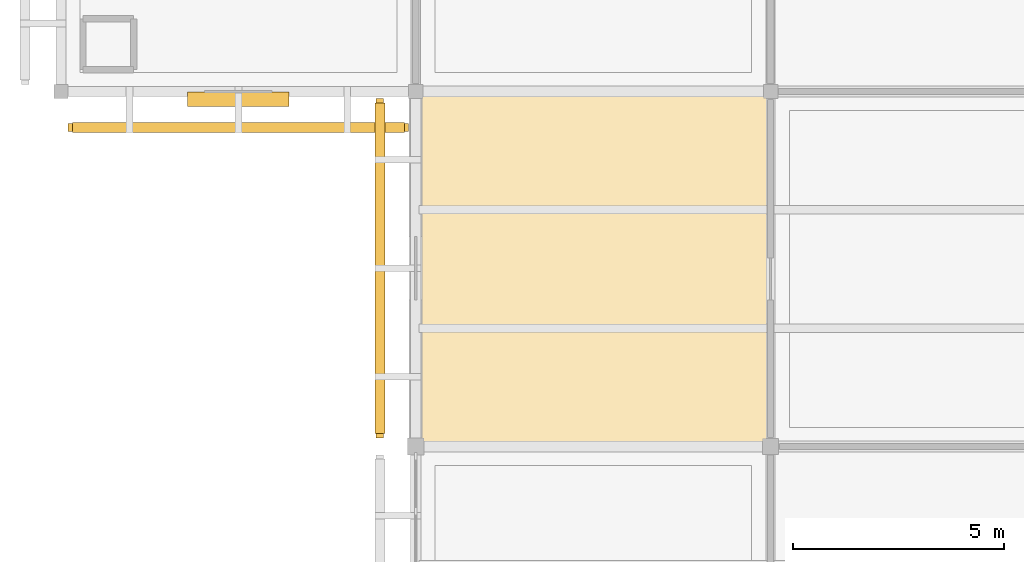
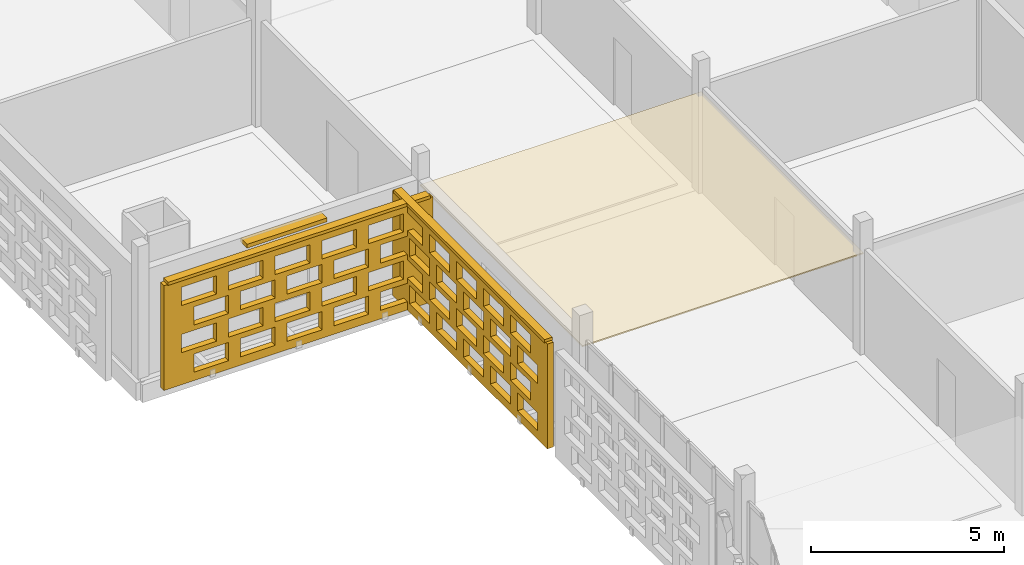
# One storey, part 101 of 140: 3 coverings, 3 shading devices, 40 openings.
"""IFC4 building model written with IfcOpenShell, lengths in metres."""

from ifc_helpers import new_model, si_unit, direction, frame, frame_2d, origin, origin_2d, place, context, subcontext, project, spatial, rectangle, extrude, material, layer, layer_set, type_object, element, save


model = new_model("IFC4")

# Units and contexts
model_context = context("Model", 3, precision=1e-05, world=origin(), true_north=direction((0.0, 1.0)))
body_context = subcontext(model_context, "Body", "Model", "MODEL_VIEW")
ifc_project = project(units=[si_unit("LENGTHUNIT", "METRE"), si_unit("AREAUNIT", "SQUARE_METRE"), si_unit("VOLUMEUNIT", "CUBIC_METRE"), si_unit("PLANEANGLEUNIT", "RADIAN"), si_unit("MASSUNIT", "GRAM", prefix="KILO")], contexts=[model_context])

# Site, building, storey
site_placement = place(None, origin())
site = spatial("IfcSite", under=ifc_project, at=site_placement, CompositionType="ELEMENT")
building_placement = place(site_placement, origin())
building = spatial("IfcBuilding", under=site, at=building_placement, Name="Varnapada Polytechnic", CompositionType="ELEMENT")
storey_placement = place(building_placement, frame((0.0, 0.0, 13.800048828125)))
storey = spatial("IfcBuildingStorey", under=building, at=storey_placement, Name="L03", CompositionType="ELEMENT", Elevation=13.800048828125)

# Shading device
ifc_material_1 = material(Name="Anodised aluminium", Category="aluminium")
ifc_layer_1 = layer(ifc_material_1, 0.35009765625)
ifc_layer_set_1 = layer_set([ifc_layer_1], Name="Anodised aluminium")
shading_device_type_1 = type_object("IfcShadingDeviceType", Name="Solar Louvre LVR-01", PredefinedType="JALOUSIE", material=ifc_layer_set_1)
shading_device_1_placement = place(storey_placement, frame((4.199951171875, 41.820068359375, 3.159912109375), z_axis=(0.0, 0.0, 1.0), x_axis=(-1.0, 0.0, 0.0)))
element("IfcShadingDevice", 1, at=shading_device_1_placement, inside=storey, type_object=shading_device_type_1, Name="L03 aluminium sun louvre 1", PredefinedType="JALOUSIE", context=body_context, shape_type="SweptSolid", body=[
    extrude(rectangle(XDim=2.39990234375, YDim=0.340087890625, at=origin_2d()), origin(), (0.0, 0.0, 1.0), 0.1201171875),
])

# Covering
ifc_material_2 = material(Name="Mineral Fibre Acoustic Ceiling Tile")
ifc_layer_2 = layer(ifc_material_2, 0.0400390625)
ifc_layer_set_2 = layer_set([ifc_layer_2], Name="Mineral Fibre Acoustic Ceiling Tile")
covering_type_1 = type_object("IfcCoveringType", Name="Suspended Ceiling CLG-01", PredefinedType="CEILING", material=ifc_layer_set_2)
covering_1_placement = place(storey_placement, frame((12.60009765625, 37.800048828125, 3.030029296875), z_axis=(0.0, 0.0, 1.0), x_axis=(1.0, 0.0, 0.0)))
element("IfcCovering", 2, at=covering_1_placement, inside=storey, type_object=covering_type_1, Name="L03 suspended acoustic ceiling (2,5)", PredefinedType="CEILING", context=body_context, shape_type="SweptSolid", body=[
    extrude(rectangle(XDim=8.419921875, YDim=8.419921875, at=origin_2d()), origin(), (0.0, 0.0, 1.0), 0.0400390625),
])

# Covering, openings
ifc_material_3 = material(Name="Earth-toned architectural terracotta screen block", Category="masonry")
ifc_layer_3 = layer(ifc_material_3, 0.1201171875)
ifc_layer_set_3 = layer_set([ifc_layer_3], Name="Earth-toned architectural terracotta screen block")
covering_type_2 = type_object("IfcCoveringType", Name="Terracotta Screen Cladding CLD-01", PredefinedType="CLADDING", material=ifc_layer_set_3)
covering_2_placement = place(storey_placement, frame((8.22998046875, 41.14990234375, 0.0), z_axis=(0.0, 0.0, 1.0), x_axis=(-1.0, 0.0, 0.0)))
covering_2 = element("IfcCovering", 3, at=covering_2_placement, inside=storey, type_object=covering_type_2, Name="L03 perforated terracotta block screen (1)", PredefinedType="CLADDING", context=body_context, shape_type="SweptSolid", body=[
    extrude(rectangle(XDim=8.06005859375, YDim=0.179931640625, at=frame_2d((4.030029296875, 0.0))), origin(), (0.0, 0.0, 1.0), 3.320068359375),
])
opening_1_placement = place(covering_2_placement, frame((0.530029296875, 0.0, 0.265625)))
element("IfcOpeningElement", 4, at=opening_1_placement, cuts=covering_2, Name="Screen perforation TBS-L03-000.1", PredefinedType="OPENING", context=body_context, shape_type="SweptSolid", body=[
    extrude(rectangle(XDim=1.0400390625, YDim=0.5810546875, at=frame_2d((0.52001953125, 0.29052734375))), frame((0.0, 0.099853515625, 0.0), z_axis=(0.0, -1.0, 0.0), x_axis=(1.0, 0.0, 0.0)), (0.0, 0.0, 1.0), 0.199951171875),
])
opening_2_placement = place(covering_2_placement, frame((1.929931640625, 0.0, 0.265625)))
element("IfcOpeningElement", 5, at=opening_2_placement, cuts=covering_2, Name="Screen perforation TBS-L03-000.2", PredefinedType="OPENING", context=body_context, shape_type="SweptSolid", body=[
    extrude(rectangle(XDim=1.0400390625, YDim=0.5810546875, at=frame_2d((0.52001953125, 0.29052734375))), frame((0.0, 0.099853515625, 0.0), z_axis=(0.0, -1.0, 0.0), x_axis=(1.0, 0.0, 0.0)), (0.0, 0.0, 1.0), 0.199951171875),
])
opening_3_placement = place(covering_2_placement, frame((3.330078125, 0.0, 0.265625)))
element("IfcOpeningElement", 6, at=opening_3_placement, cuts=covering_2, Name="Screen perforation TBS-L03-000.3", PredefinedType="OPENING", context=body_context, shape_type="SweptSolid", body=[
    extrude(rectangle(XDim=1.0400390625, YDim=0.5810546875, at=frame_2d((0.52001953125, 0.29052734375))), frame((0.0, 0.099853515625, 0.0), z_axis=(0.0, -1.0, 0.0), x_axis=(1.0, 0.0, 0.0)), (0.0, 0.0, 1.0), 0.199951171875),
])
opening_4_placement = place(covering_2_placement, frame((4.72998046875, 0.0, 0.265625)))
element("IfcOpeningElement", 7, at=opening_4_placement, cuts=covering_2, Name="Screen perforation TBS-L03-000.4", PredefinedType="OPENING", context=body_context, shape_type="SweptSolid", body=[
    extrude(rectangle(XDim=1.0400390625, YDim=0.5810546875, at=frame_2d((0.52001953125, 0.29052734375))), frame((0.0, 0.099853515625, 0.0), z_axis=(0.0, -1.0, 0.0), x_axis=(1.0, 0.0, 0.0)), (0.0, 0.0, 1.0), 0.199951171875),
])
opening_5_placement = place(covering_2_placement, frame((6.1298828125, 0.0, 0.265625)))
element("IfcOpeningElement", 8, at=opening_5_placement, cuts=covering_2, Name="Screen perforation TBS-L03-000.5", PredefinedType="OPENING", context=body_context, shape_type="SweptSolid", body=[
    extrude(rectangle(XDim=1.0400390625, YDim=0.5810546875, at=frame_2d((0.52001953125, 0.29052734375))), frame((0.0, 0.099853515625, 0.0), z_axis=(0.0, -1.0, 0.0), x_axis=(1.0, 0.0, 0.0)), (0.0, 0.0, 1.0), 0.199951171875),
])
opening_6_placement = place(covering_2_placement, frame((0.889892578125, 0.0, 1.0126953125)))
element("IfcOpeningElement", 9, at=opening_6_placement, cuts=covering_2, Name="Screen perforation TBS-L03-000.6", PredefinedType="OPENING", context=body_context, shape_type="SweptSolid", body=[
    extrude(rectangle(XDim=1.0400390625, YDim=0.5810546875, at=frame_2d((0.52001953125, 0.29052734375))), frame((0.0, 0.099853515625, 0.0), z_axis=(0.0, -1.0, 0.0), x_axis=(1.0, 0.0, 0.0)), (0.0, 0.0, 1.0), 0.199951171875),
])
opening_7_placement = place(covering_2_placement, frame((2.2900390625, 0.0, 1.0126953125)))
element("IfcOpeningElement", 10, at=opening_7_placement, cuts=covering_2, Name="Screen perforation TBS-L03-000.7", PredefinedType="OPENING", context=body_context, shape_type="SweptSolid", body=[
    extrude(rectangle(XDim=1.0400390625, YDim=0.5810546875, at=frame_2d((0.52001953125, 0.29052734375))), frame((0.0, 0.099853515625, 0.0), z_axis=(0.0, -1.0, 0.0), x_axis=(1.0, 0.0, 0.0)), (0.0, 0.0, 1.0), 0.199951171875),
])
opening_8_placement = place(covering_2_placement, frame((3.68994140625, 0.0, 1.0126953125)))
element("IfcOpeningElement", 11, at=opening_8_placement, cuts=covering_2, Name="Screen perforation TBS-L03-000.8", PredefinedType="OPENING", context=body_context, shape_type="SweptSolid", body=[
    extrude(rectangle(XDim=1.0400390625, YDim=0.5810546875, at=frame_2d((0.52001953125, 0.29052734375))), frame((0.0, 0.099853515625, 0.0), z_axis=(0.0, -1.0, 0.0), x_axis=(1.0, 0.0, 0.0)), (0.0, 0.0, 1.0), 0.199951171875),
])
opening_9_placement = place(covering_2_placement, frame((5.090087890625, 0.0, 1.0126953125)))
element("IfcOpeningElement", 12, at=opening_9_placement, cuts=covering_2, Name="Screen perforation TBS-L03-000.9", PredefinedType="OPENING", context=body_context, shape_type="SweptSolid", body=[
    extrude(rectangle(XDim=1.0400390625, YDim=0.5810546875, at=frame_2d((0.52001953125, 0.29052734375))), frame((0.0, 0.099853515625, 0.0), z_axis=(0.0, -1.0, 0.0), x_axis=(1.0, 0.0, 0.0)), (0.0, 0.0, 1.0), 0.199951171875),
])
opening_10_placement = place(covering_2_placement, frame((6.489990234375, 0.0, 1.0126953125)))
element("IfcOpeningElement", 13, at=opening_10_placement, cuts=covering_2, Name="Screen perforation TBS-L03-000.10", PredefinedType="OPENING", context=body_context, shape_type="SweptSolid", body=[
    extrude(rectangle(XDim=1.0400390625, YDim=0.5810546875, at=frame_2d((0.52001953125, 0.29052734375))), frame((0.0, 0.099853515625, 0.0), z_axis=(0.0, -1.0, 0.0), x_axis=(1.0, 0.0, 0.0)), (0.0, 0.0, 1.0), 0.199951171875),
])
opening_11_placement = place(covering_2_placement, frame((0.530029296875, 0.0, 1.759521484375)))
element("IfcOpeningElement", 14, at=opening_11_placement, cuts=covering_2, Name="Screen perforation TBS-L03-000.11", PredefinedType="OPENING", context=body_context, shape_type="SweptSolid", body=[
    extrude(rectangle(XDim=1.0400390625, YDim=0.5810546875, at=frame_2d((0.52001953125, 0.29052734375))), frame((0.0, 0.099853515625, 0.0), z_axis=(0.0, -1.0, 0.0), x_axis=(1.0, 0.0, 0.0)), (0.0, 0.0, 1.0), 0.199951171875),
])
opening_12_placement = place(covering_2_placement, frame((1.929931640625, 0.0, 1.759521484375)))
element("IfcOpeningElement", 15, at=opening_12_placement, cuts=covering_2, Name="Screen perforation TBS-L03-000.12", PredefinedType="OPENING", context=body_context, shape_type="SweptSolid", body=[
    extrude(rectangle(XDim=1.0400390625, YDim=0.5810546875, at=frame_2d((0.52001953125, 0.29052734375))), frame((0.0, 0.099853515625, 0.0), z_axis=(0.0, -1.0, 0.0), x_axis=(1.0, 0.0, 0.0)), (0.0, 0.0, 1.0), 0.199951171875),
])
opening_13_placement = place(covering_2_placement, frame((3.330078125, 0.0, 1.759521484375)))
element("IfcOpeningElement", 16, at=opening_13_placement, cuts=covering_2, Name="Screen perforation TBS-L03-000.13", PredefinedType="OPENING", context=body_context, shape_type="SweptSolid", body=[
    extrude(rectangle(XDim=1.0400390625, YDim=0.5810546875, at=frame_2d((0.52001953125, 0.29052734375))), frame((0.0, 0.099853515625, 0.0), z_axis=(0.0, -1.0, 0.0), x_axis=(1.0, 0.0, 0.0)), (0.0, 0.0, 1.0), 0.199951171875),
])
opening_14_placement = place(covering_2_placement, frame((4.72998046875, 0.0, 1.759521484375)))
element("IfcOpeningElement", 17, at=opening_14_placement, cuts=covering_2, Name="Screen perforation TBS-L03-000.14", PredefinedType="OPENING", context=body_context, shape_type="SweptSolid", body=[
    extrude(rectangle(XDim=1.0400390625, YDim=0.5810546875, at=frame_2d((0.52001953125, 0.29052734375))), frame((0.0, 0.099853515625, 0.0), z_axis=(0.0, -1.0, 0.0), x_axis=(1.0, 0.0, 0.0)), (0.0, 0.0, 1.0), 0.199951171875),
])
opening_15_placement = place(covering_2_placement, frame((6.1298828125, 0.0, 1.759521484375)))
element("IfcOpeningElement", 18, at=opening_15_placement, cuts=covering_2, Name="Screen perforation TBS-L03-000.15", PredefinedType="OPENING", context=body_context, shape_type="SweptSolid", body=[
    extrude(rectangle(XDim=1.0400390625, YDim=0.5810546875, at=frame_2d((0.52001953125, 0.29052734375))), frame((0.0, 0.099853515625, 0.0), z_axis=(0.0, -1.0, 0.0), x_axis=(1.0, 0.0, 0.0)), (0.0, 0.0, 1.0), 0.199951171875),
])
opening_16_placement = place(covering_2_placement, frame((0.889892578125, 0.0, 2.506591796875)))
element("IfcOpeningElement", 19, at=opening_16_placement, cuts=covering_2, Name="Screen perforation TBS-L03-000.16", PredefinedType="OPENING", context=body_context, shape_type="SweptSolid", body=[
    extrude(rectangle(XDim=1.0400390625, YDim=0.5810546875, at=frame_2d((0.52001953125, 0.29052734375))), frame((0.0, 0.099853515625, 0.0), z_axis=(0.0, -1.0, 0.0), x_axis=(1.0, 0.0, 0.0)), (0.0, 0.0, 1.0), 0.199951171875),
])
opening_17_placement = place(covering_2_placement, frame((2.2900390625, 0.0, 2.506591796875)))
element("IfcOpeningElement", 20, at=opening_17_placement, cuts=covering_2, Name="Screen perforation TBS-L03-000.17", PredefinedType="OPENING", context=body_context, shape_type="SweptSolid", body=[
    extrude(rectangle(XDim=1.0400390625, YDim=0.5810546875, at=frame_2d((0.52001953125, 0.29052734375))), frame((0.0, 0.099853515625, 0.0), z_axis=(0.0, -1.0, 0.0), x_axis=(1.0, 0.0, 0.0)), (0.0, 0.0, 1.0), 0.199951171875),
])
opening_18_placement = place(covering_2_placement, frame((3.68994140625, 0.0, 2.506591796875)))
element("IfcOpeningElement", 21, at=opening_18_placement, cuts=covering_2, Name="Screen perforation TBS-L03-000.18", PredefinedType="OPENING", context=body_context, shape_type="SweptSolid", body=[
    extrude(rectangle(XDim=1.0400390625, YDim=0.5810546875, at=frame_2d((0.52001953125, 0.29052734375))), frame((0.0, 0.099853515625, 0.0), z_axis=(0.0, -1.0, 0.0), x_axis=(1.0, 0.0, 0.0)), (0.0, 0.0, 1.0), 0.199951171875),
])
opening_19_placement = place(covering_2_placement, frame((5.090087890625, 0.0, 2.506591796875)))
element("IfcOpeningElement", 22, at=opening_19_placement, cuts=covering_2, Name="Screen perforation TBS-L03-000.19", PredefinedType="OPENING", context=body_context, shape_type="SweptSolid", body=[
    extrude(rectangle(XDim=1.0400390625, YDim=0.5810546875, at=frame_2d((0.52001953125, 0.29052734375))), frame((0.0, 0.099853515625, 0.0), z_axis=(0.0, -1.0, 0.0), x_axis=(1.0, 0.0, 0.0)), (0.0, 0.0, 1.0), 0.199951171875),
])
opening_20_placement = place(covering_2_placement, frame((6.489990234375, 0.0, 2.506591796875)))
element("IfcOpeningElement", 23, at=opening_20_placement, cuts=covering_2, Name="Screen perforation TBS-L03-000.20", PredefinedType="OPENING", context=body_context, shape_type="SweptSolid", body=[
    extrude(rectangle(XDim=1.0400390625, YDim=0.5810546875, at=frame_2d((0.52001953125, 0.29052734375))), frame((0.0, 0.099853515625, 0.0), z_axis=(0.0, -1.0, 0.0), x_axis=(1.0, 0.0, 0.0)), (0.0, 0.0, 1.0), 0.199951171875),
])

covering_3_placement = place(storey_placement, frame((7.550048828125, 33.800048828125, 0.0), z_axis=(0.0, 0.0, 1.0), x_axis=(0.0, 1.0, 0.0)))
covering_3 = element("IfcCovering", 24, at=covering_3_placement, inside=storey, type_object=covering_type_2, Name="L03 perforated terracotta block screen (17)", PredefinedType="CLADDING", context=body_context, shape_type="SweptSolid", body=[
    extrude(rectangle(XDim=8.030029296875, YDim=0.179931640625, at=frame_2d((4.01513671875, 0.0))), origin(), (0.0, 0.0, 1.0), 3.320068359375),
])
opening_21_placement = place(covering_3_placement, frame((0.514892578125, 0.0, 0.265625)))
element("IfcOpeningElement", 25, at=opening_21_placement, cuts=covering_3, Name="Screen perforation TBS-L03-016.1", PredefinedType="OPENING", context=body_context, shape_type="SweptSolid", body=[
    extrude(rectangle(XDim=1.0400390625, YDim=0.5810546875, at=frame_2d((0.52001953125, 0.29052734375))), frame((0.0, 0.099853515625, 0.0), z_axis=(0.0, -1.0, 0.0), x_axis=(1.0, 0.0, 0.0)), (0.0, 0.0, 1.0), 0.199951171875),
])
opening_22_placement = place(covering_3_placement, frame((1.9150390625, 0.0, 0.265625)))
element("IfcOpeningElement", 26, at=opening_22_placement, cuts=covering_3, Name="Screen perforation TBS-L03-016.2", PredefinedType="OPENING", context=body_context, shape_type="SweptSolid", body=[
    extrude(rectangle(XDim=1.0400390625, YDim=0.5810546875, at=frame_2d((0.52001953125, 0.29052734375))), frame((0.0, 0.099853515625, 0.0), z_axis=(0.0, -1.0, 0.0), x_axis=(1.0, 0.0, 0.0)), (0.0, 0.0, 1.0), 0.199951171875),
])
opening_23_placement = place(covering_3_placement, frame((3.31494140625, 0.0, 0.265625)))
element("IfcOpeningElement", 27, at=opening_23_placement, cuts=covering_3, Name="Screen perforation TBS-L03-016.3", PredefinedType="OPENING", context=body_context, shape_type="SweptSolid", body=[
    extrude(rectangle(XDim=1.0400390625, YDim=0.5810546875, at=frame_2d((0.52001953125, 0.29052734375))), frame((0.0, 0.099853515625, 0.0), z_axis=(0.0, -1.0, 0.0), x_axis=(1.0, 0.0, 0.0)), (0.0, 0.0, 1.0), 0.199951171875),
])
opening_24_placement = place(covering_3_placement, frame((4.715087890625, 0.0, 0.265625)))
element("IfcOpeningElement", 28, at=opening_24_placement, cuts=covering_3, Name="Screen perforation TBS-L03-016.4", PredefinedType="OPENING", context=body_context, shape_type="SweptSolid", body=[
    extrude(rectangle(XDim=1.0400390625, YDim=0.5810546875, at=frame_2d((0.52001953125, 0.29052734375))), frame((0.0, 0.099853515625, 0.0), z_axis=(0.0, -1.0, 0.0), x_axis=(1.0, 0.0, 0.0)), (0.0, 0.0, 1.0), 0.199951171875),
])
opening_25_placement = place(covering_3_placement, frame((6.114990234375, 0.0, 0.265625)))
element("IfcOpeningElement", 29, at=opening_25_placement, cuts=covering_3, Name="Screen perforation TBS-L03-016.5", PredefinedType="OPENING", context=body_context, shape_type="SweptSolid", body=[
    extrude(rectangle(XDim=1.0400390625, YDim=0.5810546875, at=frame_2d((0.52001953125, 0.29052734375))), frame((0.0, 0.099853515625, 0.0), z_axis=(0.0, -1.0, 0.0), x_axis=(1.0, 0.0, 0.0)), (0.0, 0.0, 1.0), 0.199951171875),
])
opening_26_placement = place(covering_3_placement, frame((0.875, 0.0, 1.0126953125)))
element("IfcOpeningElement", 30, at=opening_26_placement, cuts=covering_3, Name="Screen perforation TBS-L03-016.6", PredefinedType="OPENING", context=body_context, shape_type="SweptSolid", body=[
    extrude(rectangle(XDim=1.0400390625, YDim=0.5810546875, at=frame_2d((0.52001953125, 0.29052734375))), frame((0.0, 0.099853515625, 0.0), z_axis=(0.0, -1.0, 0.0), x_axis=(1.0, 0.0, 0.0)), (0.0, 0.0, 1.0), 0.199951171875),
])
opening_27_placement = place(covering_3_placement, frame((2.27490234375, 0.0, 1.0126953125)))
element("IfcOpeningElement", 31, at=opening_27_placement, cuts=covering_3, Name="Screen perforation TBS-L03-016.7", PredefinedType="OPENING", context=body_context, shape_type="SweptSolid", body=[
    extrude(rectangle(XDim=1.0400390625, YDim=0.5810546875, at=frame_2d((0.52001953125, 0.29052734375))), frame((0.0, 0.099853515625, 0.0), z_axis=(0.0, -1.0, 0.0), x_axis=(1.0, 0.0, 0.0)), (0.0, 0.0, 1.0), 0.199951171875),
])
opening_28_placement = place(covering_3_placement, frame((3.675048828125, 0.0, 1.0126953125)))
element("IfcOpeningElement", 32, at=opening_28_placement, cuts=covering_3, Name="Screen perforation TBS-L03-016.8", PredefinedType="OPENING", context=body_context, shape_type="SweptSolid", body=[
    extrude(rectangle(XDim=1.0400390625, YDim=0.5810546875, at=frame_2d((0.52001953125, 0.29052734375))), frame((0.0, 0.099853515625, 0.0), z_axis=(0.0, -1.0, 0.0), x_axis=(1.0, 0.0, 0.0)), (0.0, 0.0, 1.0), 0.199951171875),
])
opening_29_placement = place(covering_3_placement, frame((5.074951171875, 0.0, 1.0126953125)))
element("IfcOpeningElement", 33, at=opening_29_placement, cuts=covering_3, Name="Screen perforation TBS-L03-016.9", PredefinedType="OPENING", context=body_context, shape_type="SweptSolid", body=[
    extrude(rectangle(XDim=1.0400390625, YDim=0.5810546875, at=frame_2d((0.52001953125, 0.29052734375))), frame((0.0, 0.099853515625, 0.0), z_axis=(0.0, -1.0, 0.0), x_axis=(1.0, 0.0, 0.0)), (0.0, 0.0, 1.0), 0.199951171875),
])
opening_30_placement = place(covering_3_placement, frame((6.47509765625, 0.0, 1.0126953125)))
element("IfcOpeningElement", 34, at=opening_30_placement, cuts=covering_3, Name="Screen perforation TBS-L03-016.10", PredefinedType="OPENING", context=body_context, shape_type="SweptSolid", body=[
    extrude(rectangle(XDim=1.0400390625, YDim=0.5810546875, at=frame_2d((0.52001953125, 0.29052734375))), frame((0.0, 0.099853515625, 0.0), z_axis=(0.0, -1.0, 0.0), x_axis=(1.0, 0.0, 0.0)), (0.0, 0.0, 1.0), 0.199951171875),
])
opening_31_placement = place(covering_3_placement, frame((0.514892578125, 0.0, 1.759521484375)))
element("IfcOpeningElement", 35, at=opening_31_placement, cuts=covering_3, Name="Screen perforation TBS-L03-016.11", PredefinedType="OPENING", context=body_context, shape_type="SweptSolid", body=[
    extrude(rectangle(XDim=1.0400390625, YDim=0.5810546875, at=frame_2d((0.52001953125, 0.29052734375))), frame((0.0, 0.099853515625, 0.0), z_axis=(0.0, -1.0, 0.0), x_axis=(1.0, 0.0, 0.0)), (0.0, 0.0, 1.0), 0.199951171875),
])
opening_32_placement = place(covering_3_placement, frame((1.9150390625, 0.0, 1.759521484375)))
element("IfcOpeningElement", 36, at=opening_32_placement, cuts=covering_3, Name="Screen perforation TBS-L03-016.12", PredefinedType="OPENING", context=body_context, shape_type="SweptSolid", body=[
    extrude(rectangle(XDim=1.0400390625, YDim=0.5810546875, at=frame_2d((0.52001953125, 0.29052734375))), frame((0.0, 0.099853515625, 0.0), z_axis=(0.0, -1.0, 0.0), x_axis=(1.0, 0.0, 0.0)), (0.0, 0.0, 1.0), 0.199951171875),
])
opening_33_placement = place(covering_3_placement, frame((3.31494140625, 0.0, 1.759521484375)))
element("IfcOpeningElement", 37, at=opening_33_placement, cuts=covering_3, Name="Screen perforation TBS-L03-016.13", PredefinedType="OPENING", context=body_context, shape_type="SweptSolid", body=[
    extrude(rectangle(XDim=1.0400390625, YDim=0.5810546875, at=frame_2d((0.52001953125, 0.29052734375))), frame((0.0, 0.099853515625, 0.0), z_axis=(0.0, -1.0, 0.0), x_axis=(1.0, 0.0, 0.0)), (0.0, 0.0, 1.0), 0.199951171875),
])
opening_34_placement = place(covering_3_placement, frame((4.715087890625, 0.0, 1.759521484375)))
element("IfcOpeningElement", 38, at=opening_34_placement, cuts=covering_3, Name="Screen perforation TBS-L03-016.14", PredefinedType="OPENING", context=body_context, shape_type="SweptSolid", body=[
    extrude(rectangle(XDim=1.0400390625, YDim=0.5810546875, at=frame_2d((0.52001953125, 0.29052734375))), frame((0.0, 0.099853515625, 0.0), z_axis=(0.0, -1.0, 0.0), x_axis=(1.0, 0.0, 0.0)), (0.0, 0.0, 1.0), 0.199951171875),
])
opening_35_placement = place(covering_3_placement, frame((6.114990234375, 0.0, 1.759521484375)))
element("IfcOpeningElement", 39, at=opening_35_placement, cuts=covering_3, Name="Screen perforation TBS-L03-016.15", PredefinedType="OPENING", context=body_context, shape_type="SweptSolid", body=[
    extrude(rectangle(XDim=1.0400390625, YDim=0.5810546875, at=frame_2d((0.52001953125, 0.29052734375))), frame((0.0, 0.099853515625, 0.0), z_axis=(0.0, -1.0, 0.0), x_axis=(1.0, 0.0, 0.0)), (0.0, 0.0, 1.0), 0.199951171875),
])
opening_36_placement = place(covering_3_placement, frame((0.875, 0.0, 2.506591796875)))
element("IfcOpeningElement", 40, at=opening_36_placement, cuts=covering_3, Name="Screen perforation TBS-L03-016.16", PredefinedType="OPENING", context=body_context, shape_type="SweptSolid", body=[
    extrude(rectangle(XDim=1.0400390625, YDim=0.5810546875, at=frame_2d((0.52001953125, 0.29052734375))), frame((0.0, 0.099853515625, 0.0), z_axis=(0.0, -1.0, 0.0), x_axis=(1.0, 0.0, 0.0)), (0.0, 0.0, 1.0), 0.199951171875),
])
opening_37_placement = place(covering_3_placement, frame((2.27490234375, 0.0, 2.506591796875)))
element("IfcOpeningElement", 41, at=opening_37_placement, cuts=covering_3, Name="Screen perforation TBS-L03-016.17", PredefinedType="OPENING", context=body_context, shape_type="SweptSolid", body=[
    extrude(rectangle(XDim=1.0400390625, YDim=0.5810546875, at=frame_2d((0.52001953125, 0.29052734375))), frame((0.0, 0.099853515625, 0.0), z_axis=(0.0, -1.0, 0.0), x_axis=(1.0, 0.0, 0.0)), (0.0, 0.0, 1.0), 0.199951171875),
])
opening_38_placement = place(covering_3_placement, frame((3.675048828125, 0.0, 2.506591796875)))
element("IfcOpeningElement", 42, at=opening_38_placement, cuts=covering_3, Name="Screen perforation TBS-L03-016.18", PredefinedType="OPENING", context=body_context, shape_type="SweptSolid", body=[
    extrude(rectangle(XDim=1.0400390625, YDim=0.5810546875, at=frame_2d((0.52001953125, 0.29052734375))), frame((0.0, 0.099853515625, 0.0), z_axis=(0.0, -1.0, 0.0), x_axis=(1.0, 0.0, 0.0)), (0.0, 0.0, 1.0), 0.199951171875),
])
opening_39_placement = place(covering_3_placement, frame((5.074951171875, 0.0, 2.506591796875)))
element("IfcOpeningElement", 43, at=opening_39_placement, cuts=covering_3, Name="Screen perforation TBS-L03-016.19", PredefinedType="OPENING", context=body_context, shape_type="SweptSolid", body=[
    extrude(rectangle(XDim=1.0400390625, YDim=0.5810546875, at=frame_2d((0.52001953125, 0.29052734375))), frame((0.0, 0.099853515625, 0.0), z_axis=(0.0, -1.0, 0.0), x_axis=(1.0, 0.0, 0.0)), (0.0, 0.0, 1.0), 0.199951171875),
])
opening_40_placement = place(covering_3_placement, frame((6.47509765625, 0.0, 2.506591796875)))
element("IfcOpeningElement", 44, at=opening_40_placement, cuts=covering_3, Name="Screen perforation TBS-L03-016.20", PredefinedType="OPENING", context=body_context, shape_type="SweptSolid", body=[
    extrude(rectangle(XDim=1.0400390625, YDim=0.5810546875, at=frame_2d((0.52001953125, 0.29052734375))), frame((0.0, 0.099853515625, 0.0), z_axis=(0.0, -1.0, 0.0), x_axis=(1.0, 0.0, 0.0)), (0.0, 0.0, 1.0), 0.199951171875),
])

# Shading devices
ifc_layer_4 = layer(ifc_material_3, 0.179931640625)
ifc_layer_set_4 = layer_set([ifc_layer_4], Name="Earth-toned architectural terracotta screen block")
shading_device_type_2 = type_object("IfcShadingDeviceType", Name="Terracotta Screen SCR-01", PredefinedType="USERDEFINED", material=ifc_layer_set_4)
shading_device_2_placement = place(storey_placement, frame((4.199951171875, 41.14990234375, 3.309814453125), z_axis=(0.0, 0.0, 1.0), x_axis=(-1.0, 0.0, 0.0)))
element("IfcShadingDevice", 45, at=shading_device_2_placement, inside=storey, type_object=shading_device_type_2, Name="L03 perforated terracotta screen hood 336", ObjectType="SCREEN", PredefinedType="USERDEFINED", context=body_context, shape_type="SweptSolid", body=[
    extrude(rectangle(XDim=7.860107421875, YDim=0.239990234375, at=origin_2d()), origin(), (0.0, 0.0, 1.0), 0.10009765625),
])
shading_device_3_placement = place(storey_placement, frame((7.550048828125, 37.81494140625, 3.309814453125), z_axis=(0.0, 0.0, 1.0), x_axis=(0.0, 1.0, 0.0)))
element("IfcShadingDevice", 46, at=shading_device_3_placement, inside=storey, type_object=shading_device_type_2, Name="L03 perforated terracotta screen hood 352", ObjectType="SCREEN", PredefinedType="USERDEFINED", context=body_context, shape_type="SweptSolid", body=[
    extrude(rectangle(XDim=7.830078125, YDim=0.239990234375, at=origin_2d()), origin(), (0.0, 0.0, 1.0), 0.10009765625),
])

save(model, "model.ifc")
